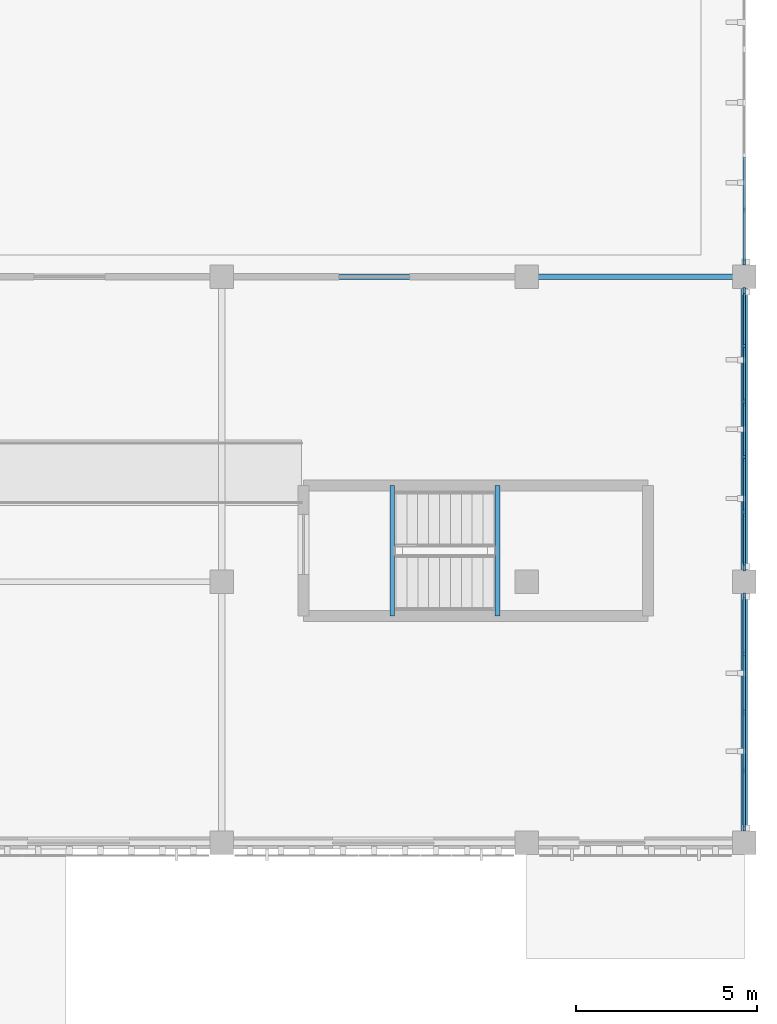
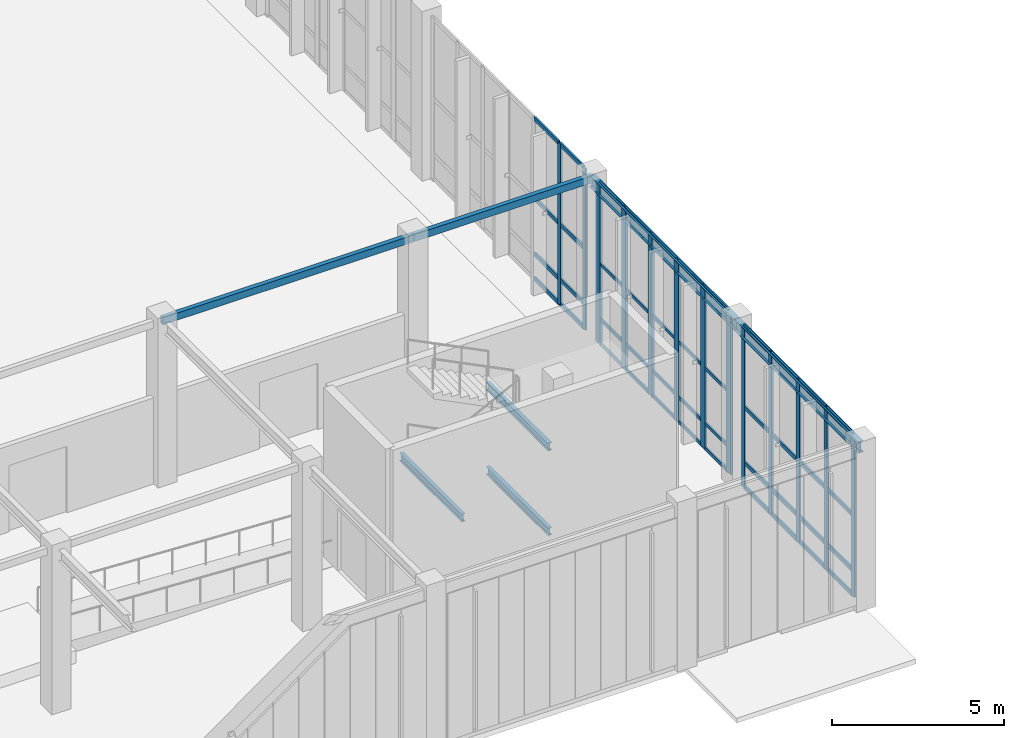
# One storey, part 51 of 110: 57 members, 7 beams, 3 elements without a shape of their own.
"""IFC4 building model written with IfcOpenShell, lengths in metres."""

from ifc_helpers import new_model, si_unit, direction, frame, origin, origin_2d, place, context, subcontext, project, spatial, rectangle, hollow_rectangle, i_section, extrude, material, material_profile, profile_set, type_object, element, aggregate, save


model = new_model("IFC4")

# Units and contexts
model_context = context("Model", 3, precision=1e-05, world=origin(), true_north=direction((0.0, 1.0)))
body_context = subcontext(model_context, "Body", "Model", "MODEL_VIEW")
ifc_project = project(units=[si_unit("LENGTHUNIT", "METRE"), si_unit("AREAUNIT", "SQUARE_METRE"), si_unit("VOLUMEUNIT", "CUBIC_METRE"), si_unit("PLANEANGLEUNIT", "RADIAN"), si_unit("MASSUNIT", "GRAM", prefix="KILO")], contexts=[model_context])

# Site, building, storey
site_placement = place(None, origin())
site = spatial("IfcSite", under=ifc_project, at=site_placement, CompositionType="ELEMENT")
building_placement = place(site_placement, origin())
building = spatial("IfcBuilding", under=site, at=building_placement, Name="Tizgana Railside Sports Hall", CompositionType="ELEMENT")
storey_placement = place(building_placement, origin())
storey = spatial("IfcBuildingStorey", under=building, at=storey_placement, Name="L00", CompositionType="ELEMENT", Elevation=0.0)

# Curtain wall, members
ifc_material_1 = material(Name="Anodised aluminium and glass", Category="aluminium")
curtain_wall_type_1 = type_object("IfcCurtainWallType", Name="Unitised Curtain Wall Concourse 1500", PredefinedType="NOTDEFINED", material=ifc_material_1)
curtain_wall_1_placement = place(storey_placement, origin())
curtain_wall_1 = element("IfcCurtainWall", 1, at=curtain_wall_1_placement, inside=storey, type_object=curtain_wall_type_1, Name="L00 Curtain Wall CW-0056", PredefinedType="NOTDEFINED")
ifc_material_2 = material(Name="Anodised aluminium", Category="aluminium")
ifc_material_profile_1 = material_profile(ifc_material_2, rectangle(XDim=0.06005859375, YDim=0.179931640625, at=origin_2d()), Name="Mullion 60x180")
ifc_profile_set_1 = profile_set([ifc_material_profile_1], Name="Anodised aluminium")
member_type_1 = type_object("IfcMemberType", Name="Mullion 60x180", PredefinedType="MULLION", material=ifc_profile_set_1)
member_1_placement = place(storey_placement, frame((172.199951171875, 73.610107421875, 0.044921875), z_axis=(0.0, 0.0, 1.0), x_axis=(-1.0, 0.0, 0.0)))
member_1 = element("IfcMember", 2, at=member_1_placement, type_object=member_type_1, Name="CW-01 mullion 1", PredefinedType="MULLION", context=body_context, shape_type="SweptSolid", body=[
    extrude(rectangle(XDim=0.06005859375, YDim=0.179931640625, at=origin_2d()), origin(), (0.0, 0.0, 1.0), 5.715087890625),
])
member_2_placement = place(storey_placement, frame((172.199951171875, 75.18994140625, 0.044921875), z_axis=(0.0, 0.0, 1.0), x_axis=(-1.0, 0.0, 0.0)))
member_2 = element("IfcMember", 3, at=member_2_placement, type_object=member_type_1, Name="CW-01 mullion 2", PredefinedType="MULLION", context=body_context, shape_type="SweptSolid", body=[
    extrude(rectangle(XDim=0.06005859375, YDim=0.179931640625, at=origin_2d()), origin(), (0.0, 0.0, 1.0), 5.715087890625),
])
member_3_placement = place(storey_placement, frame((172.199951171875, 76.800048828125, 0.044921875), z_axis=(0.0, 0.0, 1.0), x_axis=(-1.0, 0.0, 0.0)))
member_3 = element("IfcMember", 4, at=member_3_placement, type_object=member_type_1, Name="CW-01 mullion 3", PredefinedType="MULLION", context=body_context, shape_type="SweptSolid", body=[
    extrude(rectangle(XDim=0.06005859375, YDim=0.179931640625, at=origin_2d()), origin(), (0.0, 0.0, 1.0), 5.715087890625),
])
member_4_placement = place(storey_placement, frame((172.199951171875, 78.409912109375, 0.044921875), z_axis=(0.0, 0.0, 1.0), x_axis=(-1.0, 0.0, 0.0)))
member_4 = element("IfcMember", 5, at=member_4_placement, type_object=member_type_1, Name="CW-01 mullion 4", PredefinedType="MULLION", context=body_context, shape_type="SweptSolid", body=[
    extrude(rectangle(XDim=0.06005859375, YDim=0.179931640625, at=origin_2d()), origin(), (0.0, 0.0, 1.0), 5.715087890625),
])
member_5_placement = place(storey_placement, frame((172.199951171875, 79.989990234375, 0.044921875), z_axis=(0.0, 0.0, 1.0), x_axis=(-1.0, 0.0, 0.0)))
member_5 = element("IfcMember", 6, at=member_5_placement, type_object=member_type_1, Name="CW-01 mullion 5", PredefinedType="MULLION", context=body_context, shape_type="SweptSolid", body=[
    extrude(rectangle(XDim=0.06005859375, YDim=0.179931640625, at=origin_2d()), origin(), (0.0, 0.0, 1.0), 5.715087890625),
])

curtain_wall_type_2 = type_object("IfcCurtainWallType", Name="Unitised Curtain Wall WestHall 1560", PredefinedType="NOTDEFINED", material=ifc_material_1)
curtain_wall_2_placement = place(storey_placement, origin())
curtain_wall_2 = element("IfcCurtainWall", 7, at=curtain_wall_2_placement, inside=storey, type_object=curtain_wall_type_2, Name="L00 Curtain Wall CW-0062", PredefinedType="NOTDEFINED")
member_6_placement = place(storey_placement, frame((172.199951171875, 89.2099609375, 0.044921875), z_axis=(0.0, 0.0, 1.0), x_axis=(-1.0, 0.0, 0.0)))
member_6 = element("IfcMember", 8, at=member_6_placement, type_object=member_type_1, Name="CW-07 mullion 1", PredefinedType="MULLION", context=body_context, shape_type="SweptSolid", body=[
    extrude(rectangle(XDim=0.06005859375, YDim=0.179931640625, at=origin_2d()), origin(), (0.0, 0.0, 1.0), 5.715087890625),
])
member_7_placement = place(storey_placement, frame((172.199951171875, 90.6533203125, 0.044921875), z_axis=(0.0, 0.0, 1.0), x_axis=(-1.0, 0.0, 0.0)))
member_7 = element("IfcMember", 9, at=member_7_placement, type_object=member_type_1, Name="CW-07 mullion 2", PredefinedType="MULLION", context=body_context, shape_type="SweptSolid", body=[
    extrude(rectangle(XDim=0.06005859375, YDim=0.179931640625, at=origin_2d()), origin(), (0.0, 0.0, 1.0), 5.715087890625),
])

curtain_wall_type_3 = type_object("IfcCurtainWallType", Name="Unitised Curtain Wall Climbing 1600", PredefinedType="NOTDEFINED", material=ifc_material_1)
curtain_wall_3_placement = place(storey_placement, origin())
curtain_wall_3 = element("IfcCurtainWall", 10, at=curtain_wall_3_placement, inside=storey, type_object=curtain_wall_type_3, Name="L00 Curtain Wall CW-0059", PredefinedType="NOTDEFINED")
ifc_material_profile_2 = material_profile(ifc_material_2, rectangle(XDim=0.074951171875, YDim=0.25, at=origin_2d()), Name="Mullion 75x250")
ifc_profile_set_2 = profile_set([ifc_material_profile_2], Name="Anodised aluminium")
member_type_2 = type_object("IfcMemberType", Name="Mullion 75x250", PredefinedType="MULLION", material=ifc_profile_set_2)
member_8_placement = place(storey_placement, frame((172.199951171875, 80.8173828125, 0.044921875), z_axis=(0.0, 0.0, 1.0), x_axis=(-1.0, 0.0, 0.0)))
member_8 = element("IfcMember", 11, at=member_8_placement, type_object=member_type_2, Name="CW-04 mullion 1", PredefinedType="MULLION", context=body_context, shape_type="SweptSolid", body=[
    extrude(rectangle(XDim=0.074951171875, YDim=0.25, at=origin_2d()), origin(), (0.0, 0.0, 1.0), 5.715087890625),
])
member_9_placement = place(storey_placement, frame((172.199951171875, 82.30810546875, 0.044921875), z_axis=(0.0, 0.0, 1.0), x_axis=(-1.0, 0.0, 0.0)))
member_9 = element("IfcMember", 12, at=member_9_placement, type_object=member_type_2, Name="CW-04 mullion 2", PredefinedType="MULLION", context=body_context, shape_type="SweptSolid", body=[
    extrude(rectangle(XDim=0.074951171875, YDim=0.25, at=origin_2d()), origin(), (0.0, 0.0, 1.0), 5.715087890625),
])
member_10_placement = place(storey_placement, frame((172.199951171875, 83.8359375, 0.044921875), z_axis=(0.0, 0.0, 1.0), x_axis=(-1.0, 0.0, 0.0)))
member_10 = element("IfcMember", 13, at=member_10_placement, type_object=member_type_2, Name="CW-04 mullion 3", PredefinedType="MULLION", context=body_context, shape_type="SweptSolid", body=[
    extrude(rectangle(XDim=0.074951171875, YDim=0.25, at=origin_2d()), origin(), (0.0, 0.0, 1.0), 5.715087890625),
])
member_11_placement = place(storey_placement, frame((172.199951171875, 85.364013671875, 0.044921875), z_axis=(0.0, 0.0, 1.0), x_axis=(-1.0, 0.0, 0.0)))
member_11 = element("IfcMember", 14, at=member_11_placement, type_object=member_type_2, Name="CW-04 mullion 4", PredefinedType="MULLION", context=body_context, shape_type="SweptSolid", body=[
    extrude(rectangle(XDim=0.074951171875, YDim=0.25, at=origin_2d()), origin(), (0.0, 0.0, 1.0), 5.715087890625),
])
member_12_placement = place(storey_placement, frame((172.199951171875, 86.89208984375, 0.044921875), z_axis=(0.0, 0.0, 1.0), x_axis=(-1.0, 0.0, 0.0)))
member_12 = element("IfcMember", 15, at=member_12_placement, type_object=member_type_2, Name="CW-04 mullion 5", PredefinedType="MULLION", context=body_context, shape_type="SweptSolid", body=[
    extrude(rectangle(XDim=0.074951171875, YDim=0.25, at=origin_2d()), origin(), (0.0, 0.0, 1.0), 5.715087890625),
])
member_13_placement = place(storey_placement, frame((172.199951171875, 88.382568359375, 0.044921875), z_axis=(0.0, 0.0, 1.0), x_axis=(-1.0, 0.0, 0.0)))
member_13 = element("IfcMember", 16, at=member_13_placement, type_object=member_type_2, Name="CW-04 mullion 6", PredefinedType="MULLION", context=body_context, shape_type="SweptSolid", body=[
    extrude(rectangle(XDim=0.074951171875, YDim=0.25, at=origin_2d()), origin(), (0.0, 0.0, 1.0), 5.715087890625),
])

# Beams
ifc_material_3 = material(Name="Steel S355J2", Category="steel")
ifc_material_profile_3 = material_profile(ifc_material_3, i_section(OverallWidth=0.1298828125, OverallDepth=0.27001953125, WebThickness=0.006591796875, FlangeThickness=0.01025390625, FilletRadius=0.014892578125, at=origin_2d()), Name="IPE 270")
ifc_profile_set_3 = profile_set([ifc_material_profile_3], Name="Steel S355J2")
beam_type_1 = type_object("IfcBeamType", Name="Stair Mid-Landing Header IPE 270", PredefinedType="JOIST", material=ifc_profile_set_3)
for number, where, z_axis, x_axis, name in (
    (17, (165.39990234375, 79.449951171875, 1.1630859375), (0.0, 1.0, 0.0), (-1.0, 0.0, 0.0), "L00 C9 Mid Header 1"),
    (18, (162.5, 79.449951171875, 2.6630859375), (0.0, 1.0, 0.0), (-1.0, 0.0, 0.0), "L00 C9 Mid Header 2"),
    (19, (165.39990234375, 79.449951171875, 4.1630859375), (0.0, 1.0, 0.0), (-1.0, 0.0, 0.0), "L00 C9 Mid Header 3"),
):
    element("IfcBeam", number, at=place(storey_placement, frame(where, z_axis=z_axis, x_axis=x_axis)), inside=storey, type_object=beam_type_1, Name=name, PredefinedType="JOIST", context=body_context, shape_type="SweptSolid", body=[
        extrude(i_section(OverallWidth=0.1298828125, OverallDepth=0.27001953125, WebThickness=0.006591796875, FlangeThickness=0.01025390625, FilletRadius=0.014892578125, at=origin_2d()), origin(), (0.0, 0.0, 1.0), 3.60009765625),
    ])
ifc_material_profile_4 = material_profile(ifc_material_3, i_section(OverallWidth=0.179931640625, OverallDepth=0.39990234375, WebThickness=0.008544921875, FlangeThickness=0.013427734375, FilletRadius=0.02099609375, at=origin_2d()), Name="IPE 400")
ifc_profile_set_4 = profile_set([ifc_material_profile_4], Name="Steel S355J2")
beam_type_2 = type_object("IfcBeamType", Name="Steel Beam IPE 400", PredefinedType="BEAM", material=ifc_profile_set_4)
beam_1_placement = place(storey_placement, frame((172.199951171875, 73.199951171875, 5.56494140625), z_axis=(0.0, 1.0, 0.0), x_axis=(-1.0, 0.0, 0.0)))
element("IfcBeam", 20, at=beam_1_placement, inside=storey, type_object=beam_type_2, Name="L00 BEM-1169", PredefinedType="BEAM", context=body_context, shape_type="SweptSolid", body=[
    extrude(i_section(OverallWidth=0.179931640625, OverallDepth=0.39990234375, WebThickness=0.008544921875, FlangeThickness=0.013427734375, FilletRadius=0.02099609375, at=origin_2d()), origin(), (0.0, 0.0, 1.0), 7.199951171875),
])
beam_2_placement = place(storey_placement, frame((172.199951171875, 80.39990234375, 5.56494140625), z_axis=(0.0, 1.0, 0.0), x_axis=(-1.0, 0.0, 0.0)))
element("IfcBeam", 21, at=beam_2_placement, inside=storey, type_object=beam_type_2, Name="L00 BEM-1171", PredefinedType="BEAM", context=body_context, shape_type="SweptSolid", body=[
    extrude(i_section(OverallWidth=0.179931640625, OverallDepth=0.39990234375, WebThickness=0.008544921875, FlangeThickness=0.013427734375, FilletRadius=0.02099609375, at=origin_2d()), origin(), (0.0, 0.0, 1.0), 8.400146484375),
])
ifc_material_profile_5 = material_profile(ifc_material_3, hollow_rectangle(XDim=0.14990234375, YDim=0.25, WallThickness=0.010009765625, at=origin_2d()), Name="RHS 250x150x10")
ifc_profile_set_5 = profile_set([ifc_material_profile_5], Name="Steel S355J2")
beam_type_3 = type_object("IfcBeamType", Name="Steel Spandrel RHS 250x150x10", PredefinedType="SPANDREL", material=ifc_profile_set_5)
beam_3_placement = place(storey_placement, frame((157.800048828125, 88.800048828125, 5.639892578125), z_axis=(1.0, 0.0, 0.0), x_axis=(0.0, 1.0, 0.0)))
element("IfcBeam", 22, at=beam_3_placement, inside=storey, type_object=beam_type_3, Name="L00 BEM-1193", PredefinedType="SPANDREL", context=body_context, shape_type="SweptSolid", body=[
    extrude(hollow_rectangle(XDim=0.14990234375, YDim=0.25, WallThickness=0.010009765625, at=origin_2d()), origin(), (0.0, 0.0, 1.0), 8.39990234375),
])
beam_4_placement = place(storey_placement, frame((166.199951171875, 88.800048828125, 5.639892578125), z_axis=(1.0, 0.0, 0.0), x_axis=(0.0, 1.0, 0.0)))
element("IfcBeam", 23, at=beam_4_placement, inside=storey, type_object=beam_type_3, Name="L00 BEM-1197", PredefinedType="SPANDREL", context=body_context, shape_type="SweptSolid", body=[
    extrude(hollow_rectangle(XDim=0.14990234375, YDim=0.25, WallThickness=0.010009765625, at=origin_2d()), origin(), (0.0, 0.0, 1.0), 6.0),
])

# Member
ifc_material_profile_6 = material_profile(ifc_material_2, rectangle(XDim=0.054931640625, YDim=0.1201171875, at=origin_2d()), Name="Transom 55x120")
ifc_profile_set_6 = profile_set([ifc_material_profile_6], Name="Anodised aluminium")
member_type_3 = type_object("IfcMemberType", Name="Transom 55x120", PredefinedType="USERDEFINED", material=ifc_profile_set_6)
member_14_placement = place(storey_placement, frame((172.199951171875, 80.85498046875, 0.072509765625), z_axis=(0.0, 1.0, 0.0), x_axis=(-1.0, 0.0, 0.0)))
member_14 = element("IfcMember", 24, at=member_14_placement, type_object=member_type_3, Name="CW-04 transom 1.1", ObjectType="TRANSOM", PredefinedType="USERDEFINED", context=body_context, shape_type="SweptSolid", body=[
    extrude(rectangle(XDim=0.054931640625, YDim=0.1201171875, at=origin_2d()), origin(), (0.0, 0.0, 1.0), 1.41552734375),
])

member_15_placement = place(storey_placement, frame((172.199951171875, 80.85498046875, 0.945068359375), z_axis=(0.0, 1.0, 0.0), x_axis=(-1.0, 0.0, 0.0)))
member_15 = element("IfcMember", 25, at=member_15_placement, type_object=member_type_3, Name="CW-04 transom 1.2", ObjectType="TRANSOM", PredefinedType="USERDEFINED", context=body_context, shape_type="SweptSolid", body=[
    extrude(rectangle(XDim=0.054931640625, YDim=0.1201171875, at=origin_2d()), origin(), (0.0, 0.0, 1.0), 1.41552734375),
])

member_16_placement = place(storey_placement, frame((172.199951171875, 80.85498046875, 2.902587890625), z_axis=(0.0, 1.0, 0.0), x_axis=(-1.0, 0.0, 0.0)))
member_16 = element("IfcMember", 26, at=member_16_placement, type_object=member_type_3, Name="CW-04 transom 1.3", ObjectType="TRANSOM", PredefinedType="USERDEFINED", context=body_context, shape_type="SweptSolid", body=[
    extrude(rectangle(XDim=0.054931640625, YDim=0.1201171875, at=origin_2d()), origin(), (0.0, 0.0, 1.0), 1.41552734375),
])

member_17_placement = place(storey_placement, frame((172.199951171875, 80.85498046875, 5.732421875), z_axis=(0.0, 1.0, 0.0), x_axis=(-1.0, 0.0, 0.0)))
member_17 = element("IfcMember", 27, at=member_17_placement, type_object=member_type_3, Name="CW-04 transom 1.4", ObjectType="TRANSOM", PredefinedType="USERDEFINED", context=body_context, shape_type="SweptSolid", body=[
    extrude(rectangle(XDim=0.054931640625, YDim=0.1201171875, at=origin_2d()), origin(), (0.0, 0.0, 1.0), 1.41552734375),
])

member_18_placement = place(storey_placement, frame((172.199951171875, 82.345458984375, 0.072509765625), z_axis=(0.0, 1.0, 0.0), x_axis=(-1.0, 0.0, 0.0)))
member_18 = element("IfcMember", 28, at=member_18_placement, type_object=member_type_3, Name="CW-04 transom 2.1", ObjectType="TRANSOM", PredefinedType="USERDEFINED", context=body_context, shape_type="SweptSolid", body=[
    extrude(rectangle(XDim=0.054931640625, YDim=0.1201171875, at=origin_2d()), origin(), (0.0, 0.0, 1.0), 1.453125),
])

member_19_placement = place(storey_placement, frame((172.199951171875, 82.345458984375, 0.945068359375), z_axis=(0.0, 1.0, 0.0), x_axis=(-1.0, 0.0, 0.0)))
member_19 = element("IfcMember", 29, at=member_19_placement, type_object=member_type_3, Name="CW-04 transom 2.2", ObjectType="TRANSOM", PredefinedType="USERDEFINED", context=body_context, shape_type="SweptSolid", body=[
    extrude(rectangle(XDim=0.054931640625, YDim=0.1201171875, at=origin_2d()), origin(), (0.0, 0.0, 1.0), 1.453125),
])

member_20_placement = place(storey_placement, frame((172.199951171875, 82.345458984375, 2.902587890625), z_axis=(0.0, 1.0, 0.0), x_axis=(-1.0, 0.0, 0.0)))
member_20 = element("IfcMember", 30, at=member_20_placement, type_object=member_type_3, Name="CW-04 transom 2.3", ObjectType="TRANSOM", PredefinedType="USERDEFINED", context=body_context, shape_type="SweptSolid", body=[
    extrude(rectangle(XDim=0.054931640625, YDim=0.1201171875, at=origin_2d()), origin(), (0.0, 0.0, 1.0), 1.453125),
])

member_21_placement = place(storey_placement, frame((172.199951171875, 82.345458984375, 5.732421875), z_axis=(0.0, 1.0, 0.0), x_axis=(-1.0, 0.0, 0.0)))
member_21 = element("IfcMember", 31, at=member_21_placement, type_object=member_type_3, Name="CW-04 transom 2.4", ObjectType="TRANSOM", PredefinedType="USERDEFINED", context=body_context, shape_type="SweptSolid", body=[
    extrude(rectangle(XDim=0.054931640625, YDim=0.1201171875, at=origin_2d()), origin(), (0.0, 0.0, 1.0), 1.453125),
])

member_22_placement = place(storey_placement, frame((172.199951171875, 83.87353515625, 0.072509765625), z_axis=(0.0, 1.0, 0.0), x_axis=(-1.0, 0.0, 0.0)))
member_22 = element("IfcMember", 32, at=member_22_placement, type_object=member_type_3, Name="CW-04 transom 3.1", ObjectType="TRANSOM", PredefinedType="USERDEFINED", context=body_context, shape_type="SweptSolid", body=[
    extrude(rectangle(XDim=0.054931640625, YDim=0.1201171875, at=origin_2d()), origin(), (0.0, 0.0, 1.0), 1.452880859375),
])

member_23_placement = place(storey_placement, frame((172.199951171875, 83.87353515625, 0.945068359375), z_axis=(0.0, 1.0, 0.0), x_axis=(-1.0, 0.0, 0.0)))
member_23 = element("IfcMember", 33, at=member_23_placement, type_object=member_type_3, Name="CW-04 transom 3.2", ObjectType="TRANSOM", PredefinedType="USERDEFINED", context=body_context, shape_type="SweptSolid", body=[
    extrude(rectangle(XDim=0.054931640625, YDim=0.1201171875, at=origin_2d()), origin(), (0.0, 0.0, 1.0), 1.452880859375),
])

member_24_placement = place(storey_placement, frame((172.199951171875, 83.87353515625, 2.902587890625), z_axis=(0.0, 1.0, 0.0), x_axis=(-1.0, 0.0, 0.0)))
member_24 = element("IfcMember", 34, at=member_24_placement, type_object=member_type_3, Name="CW-04 transom 3.3", ObjectType="TRANSOM", PredefinedType="USERDEFINED", context=body_context, shape_type="SweptSolid", body=[
    extrude(rectangle(XDim=0.054931640625, YDim=0.1201171875, at=origin_2d()), origin(), (0.0, 0.0, 1.0), 1.452880859375),
])

member_25_placement = place(storey_placement, frame((172.199951171875, 83.87353515625, 5.732421875), z_axis=(0.0, 1.0, 0.0), x_axis=(-1.0, 0.0, 0.0)))
member_25 = element("IfcMember", 35, at=member_25_placement, type_object=member_type_3, Name="CW-04 transom 3.4", ObjectType="TRANSOM", PredefinedType="USERDEFINED", context=body_context, shape_type="SweptSolid", body=[
    extrude(rectangle(XDim=0.054931640625, YDim=0.1201171875, at=origin_2d()), origin(), (0.0, 0.0, 1.0), 1.452880859375),
])

member_26_placement = place(storey_placement, frame((172.199951171875, 85.401611328125, 0.072509765625), z_axis=(0.0, 1.0, 0.0), x_axis=(-1.0, 0.0, 0.0)))
member_26 = element("IfcMember", 36, at=member_26_placement, type_object=member_type_3, Name="CW-04 transom 4.1", ObjectType="TRANSOM", PredefinedType="USERDEFINED", context=body_context, shape_type="SweptSolid", body=[
    extrude(rectangle(XDim=0.054931640625, YDim=0.1201171875, at=origin_2d()), origin(), (0.0, 0.0, 1.0), 1.452880859375),
])

member_27_placement = place(storey_placement, frame((172.199951171875, 85.401611328125, 0.945068359375), z_axis=(0.0, 1.0, 0.0), x_axis=(-1.0, 0.0, 0.0)))
member_27 = element("IfcMember", 37, at=member_27_placement, type_object=member_type_3, Name="CW-04 transom 4.2", ObjectType="TRANSOM", PredefinedType="USERDEFINED", context=body_context, shape_type="SweptSolid", body=[
    extrude(rectangle(XDim=0.054931640625, YDim=0.1201171875, at=origin_2d()), origin(), (0.0, 0.0, 1.0), 1.452880859375),
])

member_28_placement = place(storey_placement, frame((172.199951171875, 85.401611328125, 2.902587890625), z_axis=(0.0, 1.0, 0.0), x_axis=(-1.0, 0.0, 0.0)))
member_28 = element("IfcMember", 38, at=member_28_placement, type_object=member_type_3, Name="CW-04 transom 4.3", ObjectType="TRANSOM", PredefinedType="USERDEFINED", context=body_context, shape_type="SweptSolid", body=[
    extrude(rectangle(XDim=0.054931640625, YDim=0.1201171875, at=origin_2d()), origin(), (0.0, 0.0, 1.0), 1.452880859375),
])

member_29_placement = place(storey_placement, frame((172.199951171875, 85.401611328125, 5.732421875), z_axis=(0.0, 1.0, 0.0), x_axis=(-1.0, 0.0, 0.0)))
member_29 = element("IfcMember", 39, at=member_29_placement, type_object=member_type_3, Name="CW-04 transom 4.4", ObjectType="TRANSOM", PredefinedType="USERDEFINED", context=body_context, shape_type="SweptSolid", body=[
    extrude(rectangle(XDim=0.054931640625, YDim=0.1201171875, at=origin_2d()), origin(), (0.0, 0.0, 1.0), 1.452880859375),
])

member_30_placement = place(storey_placement, frame((172.199951171875, 86.929443359375, 0.072509765625), z_axis=(0.0, 1.0, 0.0), x_axis=(-1.0, 0.0, 0.0)))
member_30 = element("IfcMember", 40, at=member_30_placement, type_object=member_type_3, Name="CW-04 transom 5.1", ObjectType="TRANSOM", PredefinedType="USERDEFINED", context=body_context, shape_type="SweptSolid", body=[
    extrude(rectangle(XDim=0.054931640625, YDim=0.1201171875, at=origin_2d()), origin(), (0.0, 0.0, 1.0), 1.41552734375),
])

member_31_placement = place(storey_placement, frame((172.199951171875, 86.929443359375, 0.945068359375), z_axis=(0.0, 1.0, 0.0), x_axis=(-1.0, 0.0, 0.0)))
member_31 = element("IfcMember", 41, at=member_31_placement, type_object=member_type_3, Name="CW-04 transom 5.2", ObjectType="TRANSOM", PredefinedType="USERDEFINED", context=body_context, shape_type="SweptSolid", body=[
    extrude(rectangle(XDim=0.054931640625, YDim=0.1201171875, at=origin_2d()), origin(), (0.0, 0.0, 1.0), 1.41552734375),
])

member_32_placement = place(storey_placement, frame((172.199951171875, 86.929443359375, 2.902587890625), z_axis=(0.0, 1.0, 0.0), x_axis=(-1.0, 0.0, 0.0)))
member_32 = element("IfcMember", 42, at=member_32_placement, type_object=member_type_3, Name="CW-04 transom 5.3", ObjectType="TRANSOM", PredefinedType="USERDEFINED", context=body_context, shape_type="SweptSolid", body=[
    extrude(rectangle(XDim=0.054931640625, YDim=0.1201171875, at=origin_2d()), origin(), (0.0, 0.0, 1.0), 1.41552734375),
])

member_33_placement = place(storey_placement, frame((172.199951171875, 86.929443359375, 5.732421875), z_axis=(0.0, 1.0, 0.0), x_axis=(-1.0, 0.0, 0.0)))
member_33 = element("IfcMember", 43, at=member_33_placement, type_object=member_type_3, Name="CW-04 transom 5.4", ObjectType="TRANSOM", PredefinedType="USERDEFINED", context=body_context, shape_type="SweptSolid", body=[
    extrude(rectangle(XDim=0.054931640625, YDim=0.1201171875, at=origin_2d()), origin(), (0.0, 0.0, 1.0), 1.41552734375),
])

aggregate(curtain_wall_3, [member_8, member_9, member_10, member_11, member_12, member_13, member_14, member_15, member_16, member_17, member_18, member_19, member_20, member_21, member_22, member_23, member_24, member_25, member_26, member_27, member_28, member_29, member_30, member_31, member_32, member_33])

ifc_material_profile_7 = material_profile(ifc_material_2, rectangle(XDim=0.06005859375, YDim=0.14990234375, at=origin_2d()), Name="Transom 60x150")
ifc_profile_set_7 = profile_set([ifc_material_profile_7], Name="Anodised aluminium")
member_type_4 = type_object("IfcMemberType", Name="Transom 60x150", PredefinedType="USERDEFINED", material=ifc_profile_set_7)
member_34_placement = place(storey_placement, frame((172.199951171875, 73.639892578125, 0.074951171875), z_axis=(0.0, 1.0, 0.0), x_axis=(-1.0, 0.0, 0.0)))
member_34 = element("IfcMember", 44, at=member_34_placement, type_object=member_type_4, Name="CW-01 transom 1.1", ObjectType="TRANSOM", PredefinedType="USERDEFINED", context=body_context, shape_type="SweptSolid", body=[
    extrude(rectangle(XDim=0.06005859375, YDim=0.14990234375, at=origin_2d()), origin(), (0.0, 0.0, 1.0), 1.52001953125),
])

member_35_placement = place(storey_placement, frame((172.199951171875, 73.639892578125, 0.945068359375), z_axis=(0.0, 1.0, 0.0), x_axis=(-1.0, 0.0, 0.0)))
member_35 = element("IfcMember", 45, at=member_35_placement, type_object=member_type_4, Name="CW-01 transom 1.2", ObjectType="TRANSOM", PredefinedType="USERDEFINED", context=body_context, shape_type="SweptSolid", body=[
    extrude(rectangle(XDim=0.06005859375, YDim=0.14990234375, at=origin_2d()), origin(), (0.0, 0.0, 1.0), 1.52001953125),
])

member_36_placement = place(storey_placement, frame((172.199951171875, 73.639892578125, 2.902587890625), z_axis=(0.0, 1.0, 0.0), x_axis=(-1.0, 0.0, 0.0)))
member_36 = element("IfcMember", 46, at=member_36_placement, type_object=member_type_4, Name="CW-01 transom 1.3", ObjectType="TRANSOM", PredefinedType="USERDEFINED", context=body_context, shape_type="SweptSolid", body=[
    extrude(rectangle(XDim=0.06005859375, YDim=0.14990234375, at=origin_2d()), origin(), (0.0, 0.0, 1.0), 1.52001953125),
])

member_37_placement = place(storey_placement, frame((172.199951171875, 73.639892578125, 5.72998046875), z_axis=(0.0, 1.0, 0.0), x_axis=(-1.0, 0.0, 0.0)))
member_37 = element("IfcMember", 47, at=member_37_placement, type_object=member_type_4, Name="CW-01 transom 1.4", ObjectType="TRANSOM", PredefinedType="USERDEFINED", context=body_context, shape_type="SweptSolid", body=[
    extrude(rectangle(XDim=0.06005859375, YDim=0.14990234375, at=origin_2d()), origin(), (0.0, 0.0, 1.0), 1.52001953125),
])

member_38_placement = place(storey_placement, frame((172.199951171875, 75.219970703125, 0.074951171875), z_axis=(0.0, 1.0, 0.0), x_axis=(-1.0, 0.0, 0.0)))
member_38 = element("IfcMember", 48, at=member_38_placement, type_object=member_type_4, Name="CW-01 transom 2.1", ObjectType="TRANSOM", PredefinedType="USERDEFINED", context=body_context, shape_type="SweptSolid", body=[
    extrude(rectangle(XDim=0.06005859375, YDim=0.14990234375, at=origin_2d()), origin(), (0.0, 0.0, 1.0), 1.550048828125),
])

member_39_placement = place(storey_placement, frame((172.199951171875, 75.219970703125, 0.945068359375), z_axis=(0.0, 1.0, 0.0), x_axis=(-1.0, 0.0, 0.0)))
member_39 = element("IfcMember", 49, at=member_39_placement, type_object=member_type_4, Name="CW-01 transom 2.2", ObjectType="TRANSOM", PredefinedType="USERDEFINED", context=body_context, shape_type="SweptSolid", body=[
    extrude(rectangle(XDim=0.06005859375, YDim=0.14990234375, at=origin_2d()), origin(), (0.0, 0.0, 1.0), 1.550048828125),
])

member_40_placement = place(storey_placement, frame((172.199951171875, 75.219970703125, 2.902587890625), z_axis=(0.0, 1.0, 0.0), x_axis=(-1.0, 0.0, 0.0)))
member_40 = element("IfcMember", 50, at=member_40_placement, type_object=member_type_4, Name="CW-01 transom 2.3", ObjectType="TRANSOM", PredefinedType="USERDEFINED", context=body_context, shape_type="SweptSolid", body=[
    extrude(rectangle(XDim=0.06005859375, YDim=0.14990234375, at=origin_2d()), origin(), (0.0, 0.0, 1.0), 1.550048828125),
])

member_41_placement = place(storey_placement, frame((172.199951171875, 75.219970703125, 5.72998046875), z_axis=(0.0, 1.0, 0.0), x_axis=(-1.0, 0.0, 0.0)))
member_41 = element("IfcMember", 51, at=member_41_placement, type_object=member_type_4, Name="CW-01 transom 2.4", ObjectType="TRANSOM", PredefinedType="USERDEFINED", context=body_context, shape_type="SweptSolid", body=[
    extrude(rectangle(XDim=0.06005859375, YDim=0.14990234375, at=origin_2d()), origin(), (0.0, 0.0, 1.0), 1.550048828125),
])

member_42_placement = place(storey_placement, frame((172.199951171875, 76.830078125, 0.074951171875), z_axis=(0.0, 1.0, 0.0), x_axis=(-1.0, 0.0, 0.0)))
member_42 = element("IfcMember", 52, at=member_42_placement, type_object=member_type_4, Name="CW-01 transom 3.1", ObjectType="TRANSOM", PredefinedType="USERDEFINED", context=body_context, shape_type="SweptSolid", body=[
    extrude(rectangle(XDim=0.06005859375, YDim=0.14990234375, at=origin_2d()), origin(), (0.0, 0.0, 1.0), 1.5498046875),
])

member_43_placement = place(storey_placement, frame((172.199951171875, 76.830078125, 0.945068359375), z_axis=(0.0, 1.0, 0.0), x_axis=(-1.0, 0.0, 0.0)))
member_43 = element("IfcMember", 53, at=member_43_placement, type_object=member_type_4, Name="CW-01 transom 3.2", ObjectType="TRANSOM", PredefinedType="USERDEFINED", context=body_context, shape_type="SweptSolid", body=[
    extrude(rectangle(XDim=0.06005859375, YDim=0.14990234375, at=origin_2d()), origin(), (0.0, 0.0, 1.0), 1.5498046875),
])

member_44_placement = place(storey_placement, frame((172.199951171875, 76.830078125, 2.902587890625), z_axis=(0.0, 1.0, 0.0), x_axis=(-1.0, 0.0, 0.0)))
member_44 = element("IfcMember", 54, at=member_44_placement, type_object=member_type_4, Name="CW-01 transom 3.3", ObjectType="TRANSOM", PredefinedType="USERDEFINED", context=body_context, shape_type="SweptSolid", body=[
    extrude(rectangle(XDim=0.06005859375, YDim=0.14990234375, at=origin_2d()), origin(), (0.0, 0.0, 1.0), 1.5498046875),
])

member_45_placement = place(storey_placement, frame((172.199951171875, 76.830078125, 5.72998046875), z_axis=(0.0, 1.0, 0.0), x_axis=(-1.0, 0.0, 0.0)))
member_45 = element("IfcMember", 55, at=member_45_placement, type_object=member_type_4, Name="CW-01 transom 3.4", ObjectType="TRANSOM", PredefinedType="USERDEFINED", context=body_context, shape_type="SweptSolid", body=[
    extrude(rectangle(XDim=0.06005859375, YDim=0.14990234375, at=origin_2d()), origin(), (0.0, 0.0, 1.0), 1.5498046875),
])

member_46_placement = place(storey_placement, frame((172.199951171875, 78.43994140625, 0.074951171875), z_axis=(0.0, 1.0, 0.0), x_axis=(-1.0, 0.0, 0.0)))
member_46 = element("IfcMember", 56, at=member_46_placement, type_object=member_type_4, Name="CW-01 transom 4.1", ObjectType="TRANSOM", PredefinedType="USERDEFINED", context=body_context, shape_type="SweptSolid", body=[
    extrude(rectangle(XDim=0.06005859375, YDim=0.14990234375, at=origin_2d()), origin(), (0.0, 0.0, 1.0), 1.52001953125),
])

member_47_placement = place(storey_placement, frame((172.199951171875, 78.43994140625, 0.945068359375), z_axis=(0.0, 1.0, 0.0), x_axis=(-1.0, 0.0, 0.0)))
member_47 = element("IfcMember", 57, at=member_47_placement, type_object=member_type_4, Name="CW-01 transom 4.2", ObjectType="TRANSOM", PredefinedType="USERDEFINED", context=body_context, shape_type="SweptSolid", body=[
    extrude(rectangle(XDim=0.06005859375, YDim=0.14990234375, at=origin_2d()), origin(), (0.0, 0.0, 1.0), 1.52001953125),
])

member_48_placement = place(storey_placement, frame((172.199951171875, 78.43994140625, 2.902587890625), z_axis=(0.0, 1.0, 0.0), x_axis=(-1.0, 0.0, 0.0)))
member_48 = element("IfcMember", 58, at=member_48_placement, type_object=member_type_4, Name="CW-01 transom 4.3", ObjectType="TRANSOM", PredefinedType="USERDEFINED", context=body_context, shape_type="SweptSolid", body=[
    extrude(rectangle(XDim=0.06005859375, YDim=0.14990234375, at=origin_2d()), origin(), (0.0, 0.0, 1.0), 1.52001953125),
])

member_49_placement = place(storey_placement, frame((172.199951171875, 78.43994140625, 5.72998046875), z_axis=(0.0, 1.0, 0.0), x_axis=(-1.0, 0.0, 0.0)))
member_49 = element("IfcMember", 59, at=member_49_placement, type_object=member_type_4, Name="CW-01 transom 4.4", ObjectType="TRANSOM", PredefinedType="USERDEFINED", context=body_context, shape_type="SweptSolid", body=[
    extrude(rectangle(XDim=0.06005859375, YDim=0.14990234375, at=origin_2d()), origin(), (0.0, 0.0, 1.0), 1.52001953125),
])

aggregate(curtain_wall_1, [member_1, member_2, member_3, member_4, member_5, member_34, member_35, member_36, member_37, member_38, member_39, member_40, member_41, member_42, member_43, member_44, member_45, member_46, member_47, member_48, member_49])

member_50_placement = place(storey_placement, frame((172.199951171875, 89.239990234375, 0.074951171875), z_axis=(0.0, 1.0, 0.0), x_axis=(-1.0, 0.0, 0.0)))
member_50 = element("IfcMember", 60, at=member_50_placement, type_object=member_type_4, Name="CW-07 transom 1.1", ObjectType="TRANSOM", PredefinedType="USERDEFINED", context=body_context, shape_type="SweptSolid", body=[
    extrude(rectangle(XDim=0.06005859375, YDim=0.14990234375, at=origin_2d()), origin(), (0.0, 0.0, 1.0), 1.38330078125),
])

member_51_placement = place(storey_placement, frame((172.199951171875, 89.239990234375, 0.945068359375), z_axis=(0.0, 1.0, 0.0), x_axis=(-1.0, 0.0, 0.0)))
member_51 = element("IfcMember", 61, at=member_51_placement, type_object=member_type_4, Name="CW-07 transom 1.2", ObjectType="TRANSOM", PredefinedType="USERDEFINED", context=body_context, shape_type="SweptSolid", body=[
    extrude(rectangle(XDim=0.06005859375, YDim=0.14990234375, at=origin_2d()), origin(), (0.0, 0.0, 1.0), 1.38330078125),
])

member_52_placement = place(storey_placement, frame((172.199951171875, 89.239990234375, 2.902587890625), z_axis=(0.0, 1.0, 0.0), x_axis=(-1.0, 0.0, 0.0)))
member_52 = element("IfcMember", 62, at=member_52_placement, type_object=member_type_4, Name="CW-07 transom 1.3", ObjectType="TRANSOM", PredefinedType="USERDEFINED", context=body_context, shape_type="SweptSolid", body=[
    extrude(rectangle(XDim=0.06005859375, YDim=0.14990234375, at=origin_2d()), origin(), (0.0, 0.0, 1.0), 1.38330078125),
])

member_53_placement = place(storey_placement, frame((172.199951171875, 89.239990234375, 5.72998046875), z_axis=(0.0, 1.0, 0.0), x_axis=(-1.0, 0.0, 0.0)))
member_53 = element("IfcMember", 63, at=member_53_placement, type_object=member_type_4, Name="CW-07 transom 1.4", ObjectType="TRANSOM", PredefinedType="USERDEFINED", context=body_context, shape_type="SweptSolid", body=[
    extrude(rectangle(XDim=0.06005859375, YDim=0.14990234375, at=origin_2d()), origin(), (0.0, 0.0, 1.0), 1.38330078125),
])

member_54_placement = place(storey_placement, frame((172.199951171875, 90.683349609375, 0.074951171875), z_axis=(0.0, 1.0, 0.0), x_axis=(-1.0, 0.0, 0.0)))
member_54 = element("IfcMember", 64, at=member_54_placement, type_object=member_type_4, Name="CW-07 transom 2.1", ObjectType="TRANSOM", PredefinedType="USERDEFINED", context=body_context, shape_type="SweptSolid", body=[
    extrude(rectangle(XDim=0.06005859375, YDim=0.14990234375, at=origin_2d()), origin(), (0.0, 0.0, 1.0), 1.413330078125),
])

member_55_placement = place(storey_placement, frame((172.199951171875, 90.683349609375, 0.945068359375), z_axis=(0.0, 1.0, 0.0), x_axis=(-1.0, 0.0, 0.0)))
member_55 = element("IfcMember", 65, at=member_55_placement, type_object=member_type_4, Name="CW-07 transom 2.2", ObjectType="TRANSOM", PredefinedType="USERDEFINED", context=body_context, shape_type="SweptSolid", body=[
    extrude(rectangle(XDim=0.06005859375, YDim=0.14990234375, at=origin_2d()), origin(), (0.0, 0.0, 1.0), 1.413330078125),
])

member_56_placement = place(storey_placement, frame((172.199951171875, 90.683349609375, 2.902587890625), z_axis=(0.0, 1.0, 0.0), x_axis=(-1.0, 0.0, 0.0)))
member_56 = element("IfcMember", 66, at=member_56_placement, type_object=member_type_4, Name="CW-07 transom 2.3", ObjectType="TRANSOM", PredefinedType="USERDEFINED", context=body_context, shape_type="SweptSolid", body=[
    extrude(rectangle(XDim=0.06005859375, YDim=0.14990234375, at=origin_2d()), origin(), (0.0, 0.0, 1.0), 1.413330078125),
])

member_57_placement = place(storey_placement, frame((172.199951171875, 90.683349609375, 5.72998046875), z_axis=(0.0, 1.0, 0.0), x_axis=(-1.0, 0.0, 0.0)))
member_57 = element("IfcMember", 67, at=member_57_placement, type_object=member_type_4, Name="CW-07 transom 2.4", ObjectType="TRANSOM", PredefinedType="USERDEFINED", context=body_context, shape_type="SweptSolid", body=[
    extrude(rectangle(XDim=0.06005859375, YDim=0.14990234375, at=origin_2d()), origin(), (0.0, 0.0, 1.0), 1.413330078125),
])

aggregate(curtain_wall_2, [member_6, member_7, member_50, member_51, member_52, member_53, member_54, member_55, member_56, member_57])

save(model, "model.ifc")
